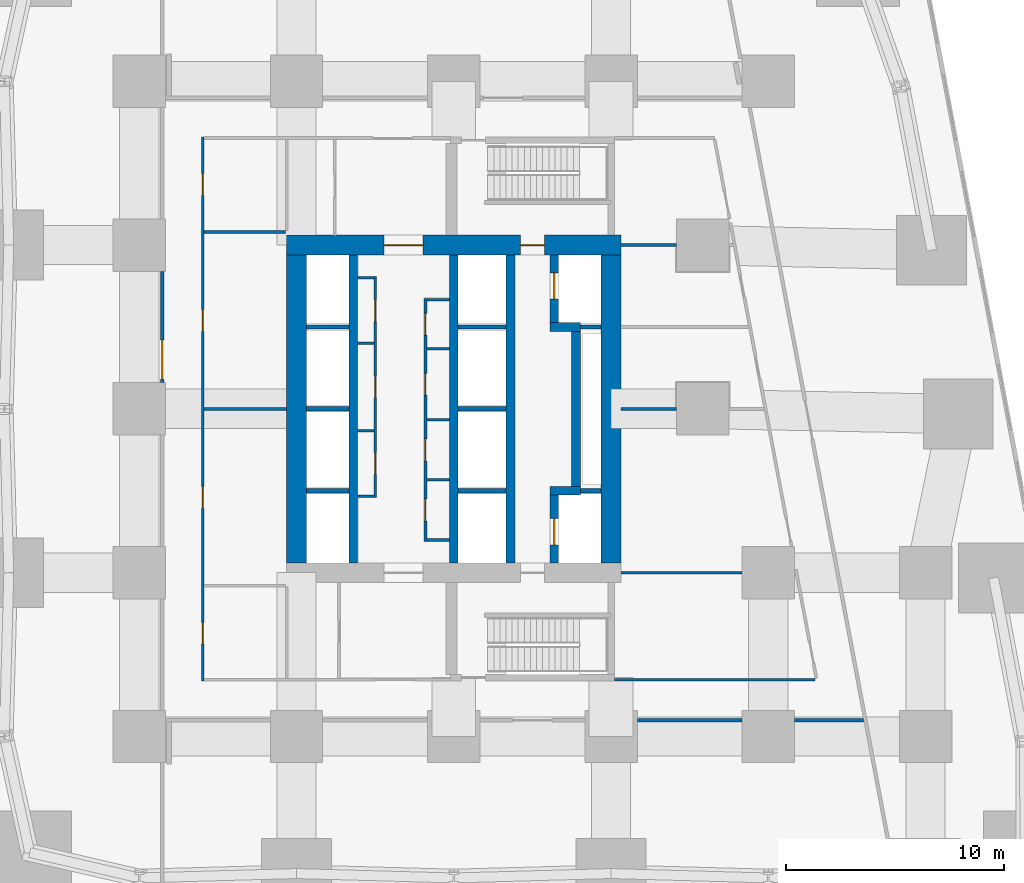
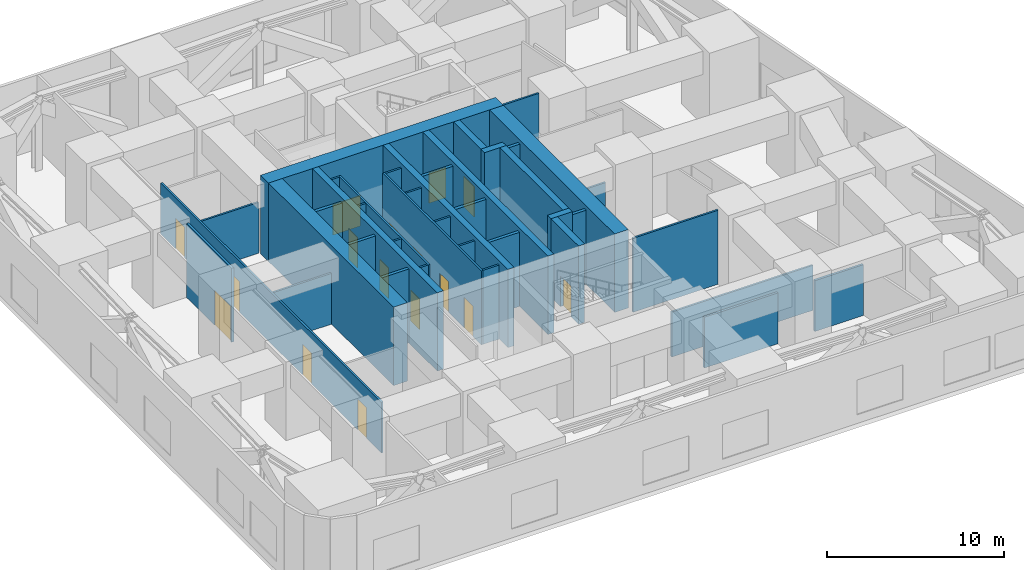
# One storey, part 4 of 8: 40 walls, 16 doors, 16 openings.
"""IFC4 building model written with IfcOpenShell, lengths in metres."""

from ifc_helpers import new_model, si_unit, direction, frame, frame_2d, origin, place, context, subcontext, project, spatial, rectangle, extrude, material, layer, layer_set, type_object, element, fill, save


model = new_model("IFC4")

# Units and contexts
model_context = context("Model", 3, precision=1e-05, world=origin(), true_north=direction((0.0, 1.0)))
body_context = subcontext(model_context, "Body", "Model", "MODEL_VIEW")
ifc_project = project(units=[si_unit("LENGTHUNIT", "METRE"), si_unit("AREAUNIT", "SQUARE_METRE"), si_unit("VOLUMEUNIT", "CUBIC_METRE"), si_unit("PLANEANGLEUNIT", "RADIAN"), si_unit("MASSUNIT", "GRAM", prefix="KILO")], contexts=[model_context])

# Site, building, storey
site_placement = place(None, origin())
site = spatial("IfcSite", under=ifc_project, at=site_placement, CompositionType="ELEMENT")
building_placement = place(site_placement, origin())
building = spatial("IfcBuilding", under=site, at=building_placement, Name="Sheger Commons Tower", CompositionType="ELEMENT")
storey_placement = place(building_placement, frame((0.0, 0.0, 14.60009765625)))
storey = spatial("IfcBuildingStorey", under=building, at=storey_placement, Name="L03", CompositionType="ELEMENT", Elevation=14.60009765625)

# Walls
ifc_material_1 = material(Name="Concrete C50/60", Category="concrete")
ifc_layer_1 = layer(ifc_material_1, 0.39990234375)
ifc_layer_set_1 = layer_set([ifc_layer_1], Name="CORE INNER WALL 400")
wall_type_1 = type_object("IfcWallType", Name="CORE INNER WALL 400", PredefinedType="SHEAR", material=ifc_layer_set_1)
for number, where, z_axis, x_axis, name in (
    (1, (17.0, 15.449951171875, 0.0), (0.0, 0.0, 1.0), (0.0, 1.0, 0.0), "Core inner wall A L03"),
    (2, (21.60009765625, 15.449951171875, 0.0), (0.0, 0.0, 1.0), (0.0, 1.0, 0.0), "Core inner wall L L03"),
    (3, (24.199951171875, 15.449951171875, 0.0), (0.0, 0.0, 1.0), (0.0, 1.0, 0.0), "Core inner wall B L03"),
):
    element("IfcWall", number, at=place(storey_placement, frame(where, z_axis=z_axis, x_axis=x_axis)), inside=storey, type_object=wall_type_1, Name=name, PredefinedType="SHEAR", context=body_context, shape_type="SweptSolid", body=[
        extrude(rectangle(XDim=14.10009765625, YDim=0.39990234375, at=frame_2d((7.050048828125, 0.0))), origin(), (0.0, 0.0, 1.0), 5.39990234375),
    ])

# Wall, opening, door
wall_1_placement = place(storey_placement, frame((26.199951171875, 15.449951171875, 0.0), z_axis=(0.0, 0.0, 1.0), x_axis=(0.0, 1.0, 0.0)))
wall_1 = element("IfcWall", 4, at=wall_1_placement, inside=storey, type_object=wall_type_1, Name="Core inner wall F L03", PredefinedType="SHEAR", context=body_context, shape_type="SweptSolid", body=[
    extrude(rectangle(XDim=3.10009765625, YDim=0.39990234375, at=frame_2d((1.550048828125, 0.0))), origin(), (0.0, 0.0, 1.0), 5.39990234375),
])
opening_1_placement = place(wall_1_placement, frame((0.824951171875, 0.0, 0.0)))
opening_1 = element("IfcOpeningElement", 5, at=opening_1_placement, cuts=wall_1, Name="Opening LD2", PredefinedType="OPENING", context=body_context, shape_type="SweptSolid", body=[
    extrude(rectangle(XDim=1.199951171875, YDim=2.10009765625, at=frame_2d((0.60009765625, 1.050048828125))), frame((0.0, 0.2099609375, 0.0), z_axis=(0.0, -1.0, 0.0), x_axis=(1.0, 0.0, 0.0)), (0.0, 0.0, 1.0), 0.419921875),
])
ifc_material_2 = material(Name="Steel door set, fire rated", Category="steel")
door_type_1 = type_object("IfcDoorType", Name="FIREFIGHTING LIFT LANDING DOOR 1200x2100", OperationType="DOUBLE_DOOR_SLIDING", PredefinedType="DOOR", material=ifc_material_2)
door_1_placement = place(opening_1_placement, origin())
door_1 = element("IfcDoor", 6, at=door_1_placement, inside=storey, type_object=door_type_1, Name="Lift FL1 landing door", OperationType="DOUBLE_DOOR_SLIDING", OverallHeight=2.10009765625, OverallWidth=1.199951171875, PredefinedType="DOOR", context=body_context, shape_type="SweptSolid", body=[
    extrude(rectangle(XDim=1.199951171875, YDim=2.10009765625, at=frame_2d((0.60009765625, 1.050048828125))), frame((0.0, 0.02490234375, 0.0), z_axis=(0.0, -1.0, 0.0), x_axis=(1.0, 0.0, 0.0)), (0.0, 0.0, 1.0), 0.050048828125),
])
fill(opening_1, door_1)

# Walls
wall_2_placement = place(storey_placement, frame((26.0, 18.75, 0.0), z_axis=(0.0, 0.0, 1.0), x_axis=(1.0, 0.0, 0.0)))
element("IfcWall", 7, at=wall_2_placement, inside=storey, type_object=wall_type_1, Name="Core inner wall F south return L03", PredefinedType="SHEAR", context=body_context, shape_type="SweptSolid", body=[
    extrude(rectangle(XDim=1.39990234375, YDim=0.39990234375, at=frame_2d((0.699951171875, 0.0))), origin(), (0.0, 0.0, 1.0), 5.39990234375),
])
wall_3_placement = place(storey_placement, frame((27.199951171875, 18.949951171875, 0.0), z_axis=(0.0, 0.0, 1.0), x_axis=(0.0, 1.0, 0.0)))
element("IfcWall", 8, at=wall_3_placement, inside=storey, type_object=wall_type_1, Name="Core inner wall F middle L03", PredefinedType="SHEAR", context=body_context, shape_type="SweptSolid", body=[
    extrude(rectangle(XDim=7.10009765625, YDim=0.39990234375, at=frame_2d((3.550048828125, 0.0))), origin(), (0.0, 0.0, 1.0), 5.39990234375),
])
wall_4_placement = place(storey_placement, frame((26.0, 26.25, 0.0), z_axis=(0.0, 0.0, 1.0), x_axis=(1.0, 0.0, 0.0)))
element("IfcWall", 9, at=wall_4_placement, inside=storey, type_object=wall_type_1, Name="Core inner wall F north return L03", PredefinedType="SHEAR", context=body_context, shape_type="SweptSolid", body=[
    extrude(rectangle(XDim=1.39990234375, YDim=0.39990234375, at=frame_2d((0.699951171875, 0.0))), origin(), (0.0, 0.0, 1.0), 5.39990234375),
])

# Wall, opening, door
wall_5_placement = place(storey_placement, frame((26.199951171875, 26.449951171875, 0.0), z_axis=(0.0, 0.0, 1.0), x_axis=(0.0, 1.0, 0.0)))
wall_5 = element("IfcWall", 10, at=wall_5_placement, inside=storey, type_object=wall_type_1, Name="Core inner wall F north L03", PredefinedType="SHEAR", context=body_context, shape_type="SweptSolid", body=[
    extrude(rectangle(XDim=3.10009765625, YDim=0.39990234375, at=frame_2d((1.550048828125, 0.0))), origin(), (0.0, 0.0, 1.0), 5.39990234375),
])
opening_2_placement = place(wall_5_placement, frame((1.074951171875, 0.0, 0.0)))
opening_2 = element("IfcOpeningElement", 11, at=opening_2_placement, cuts=wall_5, Name="Opening LD2", PredefinedType="OPENING", context=body_context, shape_type="SweptSolid", body=[
    extrude(rectangle(XDim=1.199951171875, YDim=2.10009765625, at=frame_2d((0.60009765625, 1.050048828125))), frame((0.0, 0.2099609375, 0.0), z_axis=(0.0, -1.0, 0.0), x_axis=(1.0, 0.0, 0.0)), (0.0, 0.0, 1.0), 0.419921875),
])
door_2_placement = place(opening_2_placement, origin())
door_2 = element("IfcDoor", 12, at=door_2_placement, inside=storey, type_object=door_type_1, Name="Lift FL2 landing door", OperationType="DOUBLE_DOOR_SLIDING", OverallHeight=2.10009765625, OverallWidth=1.199951171875, PredefinedType="DOOR", context=body_context, shape_type="SweptSolid", body=[
    extrude(rectangle(XDim=1.199951171875, YDim=2.10009765625, at=frame_2d((0.60009765625, 1.050048828125))), frame((0.0, 0.02490234375, 0.0), z_axis=(0.0, -1.0, 0.0), x_axis=(1.0, 0.0, 0.0)), (0.0, 0.0, 1.0), 0.050048828125),
])
fill(opening_2, door_2)

# Wall, openings, doors
ifc_material_3 = material(Name="Concrete C50/60", Category="concrete")
ifc_layer_2 = layer(ifc_material_3, 0.89990234375)
ifc_layer_set_2 = layer_set([ifc_layer_2], Name="CORE WALL 900")
wall_type_2 = type_object("IfcWallType", Name="CORE WALL 900", PredefinedType="SHEAR", material=ifc_layer_set_2)
wall_6_placement = place(storey_placement, frame((13.949951171875, 30.0, 0.0), z_axis=(0.0, 0.0, 1.0), x_axis=(1.0, 0.0, 0.0)))
wall_6 = element("IfcWall", 13, at=wall_6_placement, inside=storey, type_object=wall_type_2, Name="Core wall north L03", PredefinedType="SHEAR", context=body_context, shape_type="SweptSolid", body=[
    extrude(rectangle(XDim=15.300048828125, YDim=0.89990234375, at=frame_2d((7.64990234375, 0.0))), origin(), (0.0, 0.0, 1.0), 5.39990234375),
])
opening_3_placement = place(wall_6_placement, frame((4.449951171875, 0.0, 0.0)))
opening_3 = element("IfcOpeningElement", 14, at=opening_3_placement, cuts=wall_6, Name="Opening D6", PredefinedType="OPENING", context=body_context, shape_type="SweptSolid", body=[
    extrude(rectangle(XDim=1.800048828125, YDim=2.10009765625, at=frame_2d((0.89990234375, 1.050048828125))), frame((0.0, 0.4599609375, 0.0), z_axis=(0.0, -1.0, 0.0), x_axis=(1.0, 0.0, 0.0)), (0.0, 0.0, 1.0), 0.919921875),
])
opening_4_placement = place(wall_6_placement, frame((10.699951171875, 0.0, 0.0)))
opening_4 = element("IfcOpeningElement", 15, at=opening_4_placement, cuts=wall_6, Name="Opening D5", PredefinedType="OPENING", context=body_context, shape_type="SweptSolid", body=[
    extrude(rectangle(XDim=1.10009765625, YDim=2.10009765625, at=frame_2d((0.550048828125, 1.050048828125))), frame((0.0, 0.4599609375, 0.0), z_axis=(0.0, -1.0, 0.0), x_axis=(1.0, 0.0, 0.0)), (0.0, 0.0, 1.0), 0.919921875),
])
ifc_material_4 = material(Name="Steel door set, fire rated", Category="steel")
door_type_2 = type_object("IfcDoorType", Name="LOBBY DOUBLE DOOR 1800x2100", OperationType="DOUBLE_DOOR_SINGLE_SWING", PredefinedType="DOOR", material=ifc_material_4)
door_3_placement = place(opening_3_placement, origin())
door_3 = element("IfcDoor", 16, at=door_3_placement, inside=storey, type_object=door_type_2, Name="Lift lobby door", OperationType="DOUBLE_DOOR_SINGLE_SWING", OverallHeight=2.10009765625, OverallWidth=1.800048828125, PredefinedType="DOOR", context=body_context, shape_type="SweptSolid", body=[
    extrude(rectangle(XDim=1.800048828125, YDim=2.10009765625, at=frame_2d((0.89990234375, 1.050048828125))), frame((0.0, 0.02490234375, 0.0), z_axis=(0.0, -1.0, 0.0), x_axis=(1.0, 0.0, 0.0)), (0.0, 0.0, 1.0), 0.050048828125),
])
fill(opening_3, door_3)
ifc_material_5 = material(Name="Steel door set, fire rated", Category="steel")
door_type_3 = type_object("IfcDoorType", Name="STAIR DOOR 1100x2100", OperationType="NOTDEFINED", PredefinedType="DOOR", material=ifc_material_5)
door_4_placement = place(opening_4_placement, origin())
door_4 = element("IfcDoor", 17, at=door_4_placement, inside=storey, type_object=door_type_3, Name="Fire-fighting lobby door", OperationType="SINGLE_SWING_RIGHT", OverallHeight=2.10009765625, OverallWidth=1.10009765625, PredefinedType="DOOR", context=body_context, shape_type="SweptSolid", body=[
    extrude(rectangle(XDim=1.10009765625, YDim=2.10009765625, at=frame_2d((0.550048828125, 1.050048828125))), frame((0.0, 0.02490234375, 0.0), z_axis=(0.0, -1.0, 0.0), x_axis=(1.0, 0.0, 0.0)), (0.0, 0.0, 1.0), 0.050048828125),
])
fill(opening_4, door_4)

# Walls
for number, where, z_axis, x_axis, name in (
    (18, (14.39990234375, 15.449951171875, 0.0), (0.0, 0.0, 1.0), (0.0, 1.0, 0.0), "Core wall west L03"),
    (19, (28.800048828125, 15.449951171875, 0.0), (0.0, 0.0, 1.0), (0.0, 1.0, 0.0), "Core wall east L03"),
):
    element("IfcWall", number, at=place(storey_placement, frame(where, z_axis=z_axis, x_axis=x_axis)), inside=storey, type_object=wall_type_2, Name=name, PredefinedType="SHEAR", context=body_context, shape_type="SweptSolid", body=[
        extrude(rectangle(XDim=14.10009765625, YDim=0.89990234375, at=frame_2d((7.050048828125, 0.0))), origin(), (0.0, 0.0, 1.0), 5.39990234375),
    ])

# Wall, opening, door
ifc_material_6 = material(Name="Hollow concrete block masonry, skimmed both sides", Category="masonry")
ifc_layer_3 = layer(ifc_material_6, 0.14990234375)
ifc_layer_set_3 = layer_set([ifc_layer_3], Name="CORRIDOR WALL 150")
wall_type_3 = type_object("IfcWallType", Name="CORRIDOR WALL 150", PredefinedType="SOLIDWALL", material=ifc_layer_set_3)
wall_7_placement = place(storey_placement, frame((8.25, 23.700927734375, 0.0), z_axis=(0.0, 0.0, 1.0), x_axis=(0.0, 1.0, 0.0)))
wall_7 = element("IfcWall", 20, at=wall_7_placement, inside=storey, type_object=wall_type_3, Name="Corridor wall L03", PredefinedType="SOLIDWALL", context=body_context, shape_type="SweptSolid", body=[
    extrude(rectangle(XDim=5.09814453125, YDim=0.14990234375, at=frame_2d((2.549072265625, 0.0))), origin(), (0.0, 0.0, 1.0), 5.099853515625),
])
opening_5_placement = place(wall_7_placement, frame((0.14990234375, 0.0, 0.0)))
opening_5 = element("IfcOpeningElement", 21, at=opening_5_placement, cuts=wall_7, Name="Opening D7", PredefinedType="OPENING", context=body_context, shape_type="SweptSolid", body=[
    extrude(rectangle(XDim=1.800048828125, YDim=2.39990234375, at=frame_2d((0.89990234375, 1.199951171875))), frame((0.0, 0.0849609375, 0.0), z_axis=(0.0, -1.0, 0.0), x_axis=(1.0, 0.0, 0.0)), (0.0, 0.0, 1.0), 0.169921875),
])
ifc_material_7 = material(Name="Steel door set, fire rated", Category="steel")
door_type_4 = type_object("IfcDoorType", Name="PLANT DOUBLE DOOR 1800x2400", OperationType="DOUBLE_DOOR_SINGLE_SWING", PredefinedType="DOOR", material=ifc_material_7)
door_5_placement = place(opening_5_placement, origin())
door_5 = element("IfcDoor", 22, at=door_5_placement, inside=storey, type_object=door_type_4, Name="Water tank room door", OperationType="DOUBLE_DOOR_SINGLE_SWING", OverallHeight=2.39990234375, OverallWidth=1.800048828125, PredefinedType="DOOR", context=body_context, shape_type="SweptSolid", body=[
    extrude(rectangle(XDim=1.800048828125, YDim=2.39990234375, at=frame_2d((0.89990234375, 1.199951171875))), frame((0.0, 0.02490234375, 0.0), z_axis=(0.0, -1.0, 0.0), x_axis=(1.0, 0.0, 0.0)), (0.0, 0.0, 1.0), 0.050048828125),
])
fill(opening_5, door_5)

# Walls
wall_8_placement = place(storey_placement, frame((40.35498046875, 8.25, 0.0), z_axis=(0.0, 0.0, 1.0), x_axis=(-1.0, 0.0, 0.0)))
element("IfcWall", 23, at=wall_8_placement, inside=storey, type_object=wall_type_3, Name="Corridor wall L03", PredefinedType="SOLIDWALL", context=body_context, shape_type="SweptSolid", body=[
    extrude(rectangle(XDim=3.154052734375, YDim=0.14990234375, at=frame_2d((1.5771484375, 0.0))), origin(), (0.0, 0.0, 1.0), 3.5),
])
wall_9_placement = place(storey_placement, frame((34.799072265625, 8.25, 0.0), z_axis=(0.0, 0.0, 1.0), x_axis=(-1.0, 0.0, 0.0)))
element("IfcWall", 24, at=wall_9_placement, inside=storey, type_object=wall_type_3, Name="Corridor wall L03", PredefinedType="SOLIDWALL", context=body_context, shape_type="SweptSolid", body=[
    extrude(rectangle(XDim=4.798095703125, YDim=0.14990234375, at=frame_2d((2.39892578125, 0.0))), origin(), (0.0, 0.0, 1.0), 3.5),
])

# Wall, openings, doors
ifc_material_8 = material(Name="Gypsum board on steel studs, two layers each side, fire rated", Category="steel")
ifc_layer_4 = layer(ifc_material_8, 0.125)
ifc_layer_set_4 = layer_set([ifc_layer_4], Name="SERVICE WALL 125")
wall_type_4 = type_object("IfcWallType", Name="SERVICE WALL 125", PredefinedType="PARTITIONING", material=ifc_layer_set_4)
wall_10_placement = place(storey_placement, frame((10.10009765625, 10.050048828125, 0.0), z_axis=(0.0, 0.0, 1.0), x_axis=(0.0, 1.0, 0.0)))
wall_10 = element("IfcWall", 25, at=wall_10_placement, inside=storey, type_object=wall_type_4, Name="Service room wall L03", PredefinedType="PARTITIONING", context=body_context, shape_type="SweptSolid", body=[
    extrude(rectangle(XDim=24.89990234375, YDim=0.125, at=frame_2d((12.449951171875, 0.0))), origin(), (0.0, 0.0, 1.0), 3.5),
])
opening_6_placement = place(wall_10_placement, frame((1.675048828125, 0.0, 0.0)))
opening_6 = element("IfcOpeningElement", 26, at=opening_6_placement, cuts=wall_10, Name="Opening D4", PredefinedType="OPENING", context=body_context, shape_type="SweptSolid", body=[
    extrude(rectangle(XDim=1.0, YDim=2.10009765625, at=frame_2d((0.5, 1.050048828125))), frame((0.0, 0.072509765625, 0.0), z_axis=(0.0, -1.0, 0.0), x_axis=(1.0, 0.0, 0.0)), (0.0, 0.0, 1.0), 0.14501953125),
])
opening_7_placement = place(wall_10_placement, frame((7.89990234375, 0.0, 0.0)))
opening_7 = element("IfcOpeningElement", 27, at=opening_7_placement, cuts=wall_10, Name="Opening D4", PredefinedType="OPENING", context=body_context, shape_type="SweptSolid", body=[
    extrude(rectangle(XDim=1.0, YDim=2.10009765625, at=frame_2d((0.5, 1.050048828125))), frame((0.0, 0.072509765625, 0.0), z_axis=(0.0, -1.0, 0.0), x_axis=(1.0, 0.0, 0.0)), (0.0, 0.0, 1.0), 0.14501953125),
])
opening_8_placement = place(wall_10_placement, frame((16.0, 0.0, 0.0)))
opening_8 = element("IfcOpeningElement", 28, at=opening_8_placement, cuts=wall_10, Name="Opening D4", PredefinedType="OPENING", context=body_context, shape_type="SweptSolid", body=[
    extrude(rectangle(XDim=1.0, YDim=2.10009765625, at=frame_2d((0.5, 1.050048828125))), frame((0.0, 0.072509765625, 0.0), z_axis=(0.0, -1.0, 0.0), x_axis=(1.0, 0.0, 0.0)), (0.0, 0.0, 1.0), 0.14501953125),
])
opening_9_placement = place(wall_10_placement, frame((22.22509765625, 0.0, 0.0)))
opening_9 = element("IfcOpeningElement", 29, at=opening_9_placement, cuts=wall_10, Name="Opening D4", PredefinedType="OPENING", context=body_context, shape_type="SweptSolid", body=[
    extrude(rectangle(XDim=1.0, YDim=2.10009765625, at=frame_2d((0.5, 1.050048828125))), frame((0.0, 0.072509765625, 0.0), z_axis=(0.0, -1.0, 0.0), x_axis=(1.0, 0.0, 0.0)), (0.0, 0.0, 1.0), 0.14501953125),
])
ifc_material_9 = material(Name="Steel door set, fire rated", Category="steel")
door_type_5 = type_object("IfcDoorType", Name="SERVICE DOOR 1000x2100", OperationType="NOTDEFINED", PredefinedType="DOOR", material=ifc_material_9)
door_6_placement = place(opening_6_placement, origin())
door_6 = element("IfcDoor", 30, at=door_6_placement, inside=storey, type_object=door_type_5, Name="Plant room door", OperationType="SINGLE_SWING_RIGHT", OverallHeight=2.10009765625, OverallWidth=1.0, PredefinedType="DOOR", context=body_context, shape_type="SweptSolid", body=[
    extrude(rectangle(XDim=1.0, YDim=2.10009765625, at=frame_2d((0.5, 1.050048828125))), frame((0.0, 0.02490234375, 0.0), z_axis=(0.0, -1.0, 0.0), x_axis=(1.0, 0.0, 0.0)), (0.0, 0.0, 1.0), 0.050048828125),
])
fill(opening_6, door_6)
door_7_placement = place(opening_7_placement, origin())
door_7 = element("IfcDoor", 31, at=door_7_placement, inside=storey, type_object=door_type_5, Name="Plant room door", OperationType="SINGLE_SWING_LEFT", OverallHeight=2.10009765625, OverallWidth=1.0, PredefinedType="DOOR", context=body_context, shape_type="SweptSolid", body=[
    extrude(rectangle(XDim=1.0, YDim=2.10009765625, at=frame_2d((0.5, 1.050048828125))), frame((0.0, 0.02490234375, 0.0), z_axis=(0.0, -1.0, 0.0), x_axis=(1.0, 0.0, 0.0)), (0.0, 0.0, 1.0), 0.050048828125),
])
fill(opening_7, door_7)
door_8_placement = place(opening_8_placement, origin())
door_8 = element("IfcDoor", 32, at=door_8_placement, inside=storey, type_object=door_type_5, Name="Electrical switch room door", OperationType="SINGLE_SWING_LEFT", OverallHeight=2.10009765625, OverallWidth=1.0, PredefinedType="DOOR", context=body_context, shape_type="SweptSolid", body=[
    extrude(rectangle(XDim=1.0, YDim=2.10009765625, at=frame_2d((0.5, 1.050048828125))), frame((0.0, 0.02490234375, 0.0), z_axis=(0.0, -1.0, 0.0), x_axis=(1.0, 0.0, 0.0)), (0.0, 0.0, 1.0), 0.050048828125),
])
fill(opening_8, door_8)
door_9_placement = place(opening_9_placement, origin())
door_9 = element("IfcDoor", 33, at=door_9_placement, inside=storey, type_object=door_type_5, Name="Cleaner's store door", OperationType="SINGLE_SWING_LEFT", OverallHeight=2.10009765625, OverallWidth=1.0, PredefinedType="DOOR", context=body_context, shape_type="SweptSolid", body=[
    extrude(rectangle(XDim=1.0, YDim=2.10009765625, at=frame_2d((0.5, 1.050048828125))), frame((0.0, 0.02490234375, 0.0), z_axis=(0.0, -1.0, 0.0), x_axis=(1.0, 0.0, 0.0)), (0.0, 0.0, 1.0), 0.050048828125),
])
fill(opening_9, door_9)

# Walls
wall_11_placement = place(storey_placement, frame((10.1630859375, 22.5, 0.0), z_axis=(0.0, 0.0, 1.0), x_axis=(1.0, 0.0, 0.0)))
element("IfcWall", 34, at=wall_11_placement, inside=storey, type_object=wall_type_4, Name="Service room wall L03", PredefinedType="PARTITIONING", context=body_context, shape_type="SweptSolid", body=[
    extrude(rectangle(XDim=3.786865234375, YDim=0.125, at=frame_2d((1.8935546875, 0.0))), origin(), (0.0, 0.0, 1.0), 3.5),
])
wall_12_placement = place(storey_placement, frame((10.1630859375, 30.60009765625, 0.0), z_axis=(0.0, 0.0, 1.0), x_axis=(1.0, 0.0, 0.0)))
element("IfcWall", 35, at=wall_12_placement, inside=storey, type_object=wall_type_4, Name="Service room wall L03", PredefinedType="PARTITIONING", context=body_context, shape_type="SweptSolid", body=[
    extrude(rectangle(XDim=3.724853515625, YDim=0.125, at=frame_2d((1.8623046875, 0.0))), origin(), (0.0, 0.0, 1.0), 3.5),
])
wall_13_placement = place(storey_placement, frame((28.949951171875, 10.10009765625, 0.0), z_axis=(0.0, 0.0, 1.0), x_axis=(1.0, 0.0, 0.0)))
element("IfcWall", 36, at=wall_13_placement, inside=storey, type_object=wall_type_4, Name="Service room wall L03", PredefinedType="PARTITIONING", context=body_context, shape_type="SweptSolid", body=[
    extrude(rectangle(XDim=9.18798828125, YDim=0.125, at=frame_2d((4.593994140625, 0.0))), origin(), (0.0, 0.0, 1.0), 3.099853515625),
])
wall_14_placement = place(storey_placement, frame((29.25, 15.0, 0.0), z_axis=(0.0, 0.0, 1.0), x_axis=(1.0, 0.0, 0.0)))
element("IfcWall", 37, at=wall_14_placement, inside=storey, type_object=wall_type_4, Name="Service room wall L03", PredefinedType="PARTITIONING", context=body_context, shape_type="SweptSolid", body=[
    extrude(rectangle(XDim=5.549072265625, YDim=0.125, at=frame_2d((2.7744140625, 0.0))), origin(), (0.0, 0.0, 1.0), 5.099853515625),
])
wall_15_placement = place(storey_placement, frame((29.25, 22.5, 0.0), z_axis=(0.0, 0.0, 1.0), x_axis=(1.0, 0.0, 0.0)))
element("IfcWall", 38, at=wall_15_placement, inside=storey, type_object=wall_type_4, Name="Service room wall L03", PredefinedType="PARTITIONING", context=body_context, shape_type="SweptSolid", body=[
    extrude(rectangle(XDim=2.549072265625, YDim=0.125, at=frame_2d((1.2744140625, 0.0))), origin(), (0.0, 0.0, 1.0), 3.5),
])
wall_16_placement = place(storey_placement, frame((29.25, 30.0, 0.0), z_axis=(0.0, 0.0, 1.0), x_axis=(1.0, 0.0, 0.0)))
element("IfcWall", 39, at=wall_16_placement, inside=storey, type_object=wall_type_4, Name="Service room wall L03", PredefinedType="PARTITIONING", context=body_context, shape_type="SweptSolid", body=[
    extrude(rectangle(XDim=2.549072265625, YDim=0.125, at=frame_2d((1.2744140625, 0.0))), origin(), (0.0, 0.0, 1.0), 5.099853515625),
])

# Wall, openings, doors
wall_17_placement = place(storey_placement, frame((20.300048828125, 16.43798828125, 0.0), z_axis=(0.0, 0.0, 1.0), x_axis=(0.0, 1.0, 0.0)))
wall_17 = element("IfcWall", 40, at=wall_17_placement, inside=storey, type_object=wall_type_4, Name="Service room wall L03", PredefinedType="PARTITIONING", context=body_context, shape_type="SweptSolid", body=[
    extrude(rectangle(XDim=11.1240234375, YDim=0.125, at=frame_2d((5.56201171875, 0.0))), origin(), (0.0, 0.0, 1.0), 5.099853515625),
])
opening_10_placement = place(wall_17_placement, frame((0.93701171875, 0.0, 0.0)))
opening_10 = element("IfcOpeningElement", 41, at=opening_10_placement, cuts=wall_17, Name="Opening D4", PredefinedType="OPENING", context=body_context, shape_type="SweptSolid", body=[
    extrude(rectangle(XDim=1.0, YDim=2.10009765625, at=frame_2d((0.5, 1.050048828125))), frame((0.0, 0.072509765625, 0.0), z_axis=(0.0, -1.0, 0.0), x_axis=(1.0, 0.0, 0.0)), (0.0, 0.0, 1.0), 0.14501953125),
])
opening_11_placement = place(wall_17_placement, frame((3.68701171875, 0.0, 0.0)))
opening_11 = element("IfcOpeningElement", 42, at=opening_11_placement, cuts=wall_17, Name="Opening D4", PredefinedType="OPENING", context=body_context, shape_type="SweptSolid", body=[
    extrude(rectangle(XDim=1.0, YDim=2.10009765625, at=frame_2d((0.5, 1.050048828125))), frame((0.0, 0.072509765625, 0.0), z_axis=(0.0, -1.0, 0.0), x_axis=(1.0, 0.0, 0.0)), (0.0, 0.0, 1.0), 0.14501953125),
])
opening_12_placement = place(wall_17_placement, frame((6.68701171875, 0.0, 0.0)))
opening_12 = element("IfcOpeningElement", 43, at=opening_12_placement, cuts=wall_17, Name="Opening D4", PredefinedType="OPENING", context=body_context, shape_type="SweptSolid", body=[
    extrude(rectangle(XDim=1.0, YDim=2.10009765625, at=frame_2d((0.5, 1.050048828125))), frame((0.0, 0.072509765625, 0.0), z_axis=(0.0, -1.0, 0.0), x_axis=(1.0, 0.0, 0.0)), (0.0, 0.0, 1.0), 0.14501953125),
])
opening_13_placement = place(wall_17_placement, frame((9.43701171875, 0.0, 0.0)))
opening_13 = element("IfcOpeningElement", 44, at=opening_13_placement, cuts=wall_17, Name="Opening D4", PredefinedType="OPENING", context=body_context, shape_type="SweptSolid", body=[
    extrude(rectangle(XDim=1.0, YDim=2.10009765625, at=frame_2d((0.5, 1.050048828125))), frame((0.0, 0.072509765625, 0.0), z_axis=(0.0, -1.0, 0.0), x_axis=(1.0, 0.0, 0.0)), (0.0, 0.0, 1.0), 0.14501953125),
])
door_10_placement = place(opening_10_placement, origin())
door_10 = element("IfcDoor", 45, at=door_10_placement, inside=storey, type_object=door_type_5, Name="Communications cupboard door", OperationType="SINGLE_SWING_RIGHT", OverallHeight=2.10009765625, OverallWidth=1.0, PredefinedType="DOOR", context=body_context, shape_type="SweptSolid", body=[
    extrude(rectangle(XDim=1.0, YDim=2.10009765625, at=frame_2d((0.5, 1.050048828125))), frame((0.0, 0.02490234375, 0.0), z_axis=(0.0, -1.0, 0.0), x_axis=(1.0, 0.0, 0.0)), (0.0, 0.0, 1.0), 0.050048828125),
])
fill(opening_10, door_10)
door_11_placement = place(opening_11_placement, origin())
door_11 = element("IfcDoor", 46, at=door_11_placement, inside=storey, type_object=door_type_5, Name="Electrical cupboard door", OperationType="SINGLE_SWING_LEFT", OverallHeight=2.10009765625, OverallWidth=1.0, PredefinedType="DOOR", context=body_context, shape_type="SweptSolid", body=[
    extrude(rectangle(XDim=1.0, YDim=2.10009765625, at=frame_2d((0.5, 1.050048828125))), frame((0.0, 0.02490234375, 0.0), z_axis=(0.0, -1.0, 0.0), x_axis=(1.0, 0.0, 0.0)), (0.0, 0.0, 1.0), 0.050048828125),
])
fill(opening_11, door_11)
door_12_placement = place(opening_12_placement, origin())
door_12 = element("IfcDoor", 47, at=door_12_placement, inside=storey, type_object=door_type_5, Name="Cleaner's cupboard door", OperationType="SINGLE_SWING_LEFT", OverallHeight=2.10009765625, OverallWidth=1.0, PredefinedType="DOOR", context=body_context, shape_type="SweptSolid", body=[
    extrude(rectangle(XDim=1.0, YDim=2.10009765625, at=frame_2d((0.5, 1.050048828125))), frame((0.0, 0.02490234375, 0.0), z_axis=(0.0, -1.0, 0.0), x_axis=(1.0, 0.0, 0.0)), (0.0, 0.0, 1.0), 0.050048828125),
])
fill(opening_12, door_12)
door_13_placement = place(opening_13_placement, origin())
door_13 = element("IfcDoor", 48, at=door_13_placement, inside=storey, type_object=door_type_5, Name="Communications cupboard door", OperationType="SINGLE_SWING_LEFT", OverallHeight=2.10009765625, OverallWidth=1.0, PredefinedType="DOOR", context=body_context, shape_type="SweptSolid", body=[
    extrude(rectangle(XDim=1.0, YDim=2.10009765625, at=frame_2d((0.5, 1.050048828125))), frame((0.0, 0.02490234375, 0.0), z_axis=(0.0, -1.0, 0.0), x_axis=(1.0, 0.0, 0.0)), (0.0, 0.0, 1.0), 0.050048828125),
])
fill(opening_13, door_13)

# Walls
for number, where, z_axis, x_axis, name in (
    (49, (20.363037109375, 16.5, 0.0), (0.0, 0.0, 1.0), (1.0, 0.0, 0.0), "Service room wall L03"),
    (50, (20.363037109375, 27.5, 0.0), (0.0, 0.0, 1.0), (1.0, 0.0, 0.0), "Service room wall L03"),
    (51, (20.363037109375, 19.25, 0.0), (0.0, 0.0, 1.0), (1.0, 0.0, 0.0), "Service room wall L03"),
    (52, (20.363037109375, 22.0, 0.0), (0.0, 0.0, 1.0), (1.0, 0.0, 0.0), "Service room wall L03"),
    (53, (20.363037109375, 25.25, 0.0), (0.0, 0.0, 1.0), (1.0, 0.0, 0.0), "Service room wall L03"),
):
    element("IfcWall", number, at=place(storey_placement, frame(where, z_axis=z_axis, x_axis=x_axis)), inside=storey, type_object=wall_type_4, Name=name, PredefinedType="PARTITIONING", context=body_context, shape_type="SweptSolid", body=[
        extrude(rectangle(XDim=1.036865234375, YDim=0.125, at=frame_2d((0.5185546875, 0.0))), origin(), (0.0, 0.0, 1.0), 5.099853515625),
    ])

# Wall, openings, doors
wall_18_placement = place(storey_placement, frame((18.0, 28.56201171875, 0.0), z_axis=(0.0, 0.0, 1.0), x_axis=(0.0, -1.0, 0.0)))
wall_18 = element("IfcWall", 54, at=wall_18_placement, inside=storey, type_object=wall_type_4, Name="Service room wall L03", PredefinedType="PARTITIONING", context=body_context, shape_type="SweptSolid", body=[
    extrude(rectangle(XDim=10.1240234375, YDim=0.125, at=frame_2d((5.06201171875, 0.0))), origin(), (0.0, 0.0, 1.0), 5.099853515625),
])
opening_14_placement = place(wall_18_placement, frame((8.06201171875, 0.0, 0.0)))
opening_14 = element("IfcOpeningElement", 55, at=opening_14_placement, cuts=wall_18, Name="Opening D4", PredefinedType="OPENING", context=body_context, shape_type="SweptSolid", body=[
    extrude(rectangle(XDim=1.0, YDim=2.10009765625, at=frame_2d((0.5, 1.050048828125))), frame((0.0, 0.072509765625, 0.0), z_axis=(0.0, -1.0, 0.0), x_axis=(1.0, 0.0, 0.0)), (0.0, 0.0, 1.0), 0.14501953125),
])
opening_15_placement = place(wall_18_placement, frame((4.56201171875, 0.0, 0.0)))
opening_15 = element("IfcOpeningElement", 56, at=opening_15_placement, cuts=wall_18, Name="Opening D4", PredefinedType="OPENING", context=body_context, shape_type="SweptSolid", body=[
    extrude(rectangle(XDim=1.0, YDim=2.10009765625, at=frame_2d((0.5, 1.050048828125))), frame((0.0, 0.072509765625, 0.0), z_axis=(0.0, -1.0, 0.0), x_axis=(1.0, 0.0, 0.0)), (0.0, 0.0, 1.0), 0.14501953125),
])
opening_16_placement = place(wall_18_placement, frame((1.06201171875, 0.0, 0.0)))
opening_16 = element("IfcOpeningElement", 57, at=opening_16_placement, cuts=wall_18, Name="Opening D4", PredefinedType="OPENING", context=body_context, shape_type="SweptSolid", body=[
    extrude(rectangle(XDim=1.0, YDim=2.10009765625, at=frame_2d((0.5, 1.050048828125))), frame((0.0, 0.072509765625, 0.0), z_axis=(0.0, -1.0, 0.0), x_axis=(1.0, 0.0, 0.0)), (0.0, 0.0, 1.0), 0.14501953125),
])
door_14_placement = place(opening_14_placement, origin())
door_14 = element("IfcDoor", 58, at=door_14_placement, inside=storey, type_object=door_type_5, Name="Water meter cupboard door", OperationType="SINGLE_SWING_RIGHT", OverallHeight=2.10009765625, OverallWidth=1.0, PredefinedType="DOOR", context=body_context, shape_type="SweptSolid", body=[
    extrude(rectangle(XDim=1.0, YDim=2.10009765625, at=frame_2d((0.5, 1.050048828125))), frame((0.0, 0.02490234375, 0.0), z_axis=(0.0, -1.0, 0.0), x_axis=(1.0, 0.0, 0.0)), (0.0, 0.0, 1.0), 0.050048828125),
])
fill(opening_14, door_14)
door_15_placement = place(opening_15_placement, origin())
door_15 = element("IfcDoor", 59, at=door_15_placement, inside=storey, type_object=door_type_5, Name="Linen cupboard door", OperationType="SINGLE_SWING_LEFT", OverallHeight=2.10009765625, OverallWidth=1.0, PredefinedType="DOOR", context=body_context, shape_type="SweptSolid", body=[
    extrude(rectangle(XDim=1.0, YDim=2.10009765625, at=frame_2d((0.5, 1.050048828125))), frame((0.0, 0.02490234375, 0.0), z_axis=(0.0, -1.0, 0.0), x_axis=(1.0, 0.0, 0.0)), (0.0, 0.0, 1.0), 0.050048828125),
])
fill(opening_15, door_15)
door_16_placement = place(opening_16_placement, origin())
door_16 = element("IfcDoor", 60, at=door_16_placement, inside=storey, type_object=door_type_5, Name="Housekeeping cupboard door", OperationType="SINGLE_SWING_LEFT", OverallHeight=2.10009765625, OverallWidth=1.0, PredefinedType="DOOR", context=body_context, shape_type="SweptSolid", body=[
    extrude(rectangle(XDim=1.0, YDim=2.10009765625, at=frame_2d((0.5, 1.050048828125))), frame((0.0, 0.02490234375, 0.0), z_axis=(0.0, -1.0, 0.0), x_axis=(1.0, 0.0, 0.0)), (0.0, 0.0, 1.0), 0.050048828125),
])
fill(opening_16, door_16)

# Walls
for number, where, z_axis, x_axis, name in (
    (61, (17.199951171875, 18.5, 0.0), (0.0, 0.0, 1.0), (1.0, 0.0, 0.0), "Service room wall L03"),
    (62, (17.199951171875, 28.5, 0.0), (0.0, 0.0, 1.0), (1.0, 0.0, 0.0), "Service room wall L03"),
    (63, (17.199951171875, 21.5, 0.0), (0.0, 0.0, 1.0), (1.0, 0.0, 0.0), "Service room wall L03"),
    (64, (17.199951171875, 25.5, 0.0), (0.0, 0.0, 1.0), (1.0, 0.0, 0.0), "Service room wall L03"),
):
    element("IfcWall", number, at=place(storey_placement, frame(where, z_axis=z_axis, x_axis=x_axis)), inside=storey, type_object=wall_type_4, Name=name, PredefinedType="PARTITIONING", context=body_context, shape_type="SweptSolid", body=[
        extrude(rectangle(XDim=0.738037109375, YDim=0.125, at=frame_2d((0.369140625, 0.0))), origin(), (0.0, 0.0, 1.0), 5.099853515625),
    ])
ifc_material_10 = material(Name="Hollow concrete block masonry", Category="masonry")
ifc_layer_5 = layer(ifc_material_10, 0.199951171875)
ifc_layer_set_5 = layer_set([ifc_layer_5], Name="SHAFT WALL 200")
wall_type_5 = type_object("IfcWallType", Name="SHAFT WALL 200", PredefinedType="SOLIDWALL", material=ifc_layer_set_5)
wall_19_placement = place(storey_placement, frame((14.85009765625, 18.75, 0.0), z_axis=(0.0, 0.0, 1.0), x_axis=(1.0, 0.0, 0.0)))
element("IfcWall", 65, at=wall_19_placement, inside=storey, type_object=wall_type_5, Name="Lift shaft wall L03", PredefinedType="SOLIDWALL", context=body_context, shape_type="SweptSolid", body=[
    extrude(rectangle(XDim=1.949951171875, YDim=0.199951171875, at=frame_2d((0.97509765625, 0.0))), origin(), (0.0, 0.0, 1.0), 5.099853515625),
])
wall_20_placement = place(storey_placement, frame((21.800048828125, 18.75, 0.0), z_axis=(0.0, 0.0, 1.0), x_axis=(1.0, 0.0, 0.0)))
element("IfcWall", 66, at=wall_20_placement, inside=storey, type_object=wall_type_5, Name="Lift shaft wall L03", PredefinedType="SOLIDWALL", context=body_context, shape_type="SweptSolid", body=[
    extrude(rectangle(XDim=2.199951171875, YDim=0.199951171875, at=frame_2d((1.10009765625, 0.0))), origin(), (0.0, 0.0, 1.0), 5.099853515625),
])
wall_21_placement = place(storey_placement, frame((14.85009765625, 22.5, 0.0), z_axis=(0.0, 0.0, 1.0), x_axis=(1.0, 0.0, 0.0)))
element("IfcWall", 67, at=wall_21_placement, inside=storey, type_object=wall_type_5, Name="Lift shaft wall L03", PredefinedType="SOLIDWALL", context=body_context, shape_type="SweptSolid", body=[
    extrude(rectangle(XDim=1.949951171875, YDim=0.199951171875, at=frame_2d((0.97509765625, 0.0))), origin(), (0.0, 0.0, 1.0), 5.099853515625),
])
wall_22_placement = place(storey_placement, frame((21.800048828125, 22.5, 0.0), z_axis=(0.0, 0.0, 1.0), x_axis=(1.0, 0.0, 0.0)))
element("IfcWall", 68, at=wall_22_placement, inside=storey, type_object=wall_type_5, Name="Lift shaft wall L03", PredefinedType="SOLIDWALL", context=body_context, shape_type="SweptSolid", body=[
    extrude(rectangle(XDim=2.199951171875, YDim=0.199951171875, at=frame_2d((1.10009765625, 0.0))), origin(), (0.0, 0.0, 1.0), 5.099853515625),
])
wall_23_placement = place(storey_placement, frame((14.85009765625, 26.25, 0.0), z_axis=(0.0, 0.0, 1.0), x_axis=(1.0, 0.0, 0.0)))
element("IfcWall", 69, at=wall_23_placement, inside=storey, type_object=wall_type_5, Name="Lift shaft wall L03", PredefinedType="SOLIDWALL", context=body_context, shape_type="SweptSolid", body=[
    extrude(rectangle(XDim=1.949951171875, YDim=0.199951171875, at=frame_2d((0.97509765625, 0.0))), origin(), (0.0, 0.0, 1.0), 5.099853515625),
])
wall_24_placement = place(storey_placement, frame((21.800048828125, 26.25, 0.0), z_axis=(0.0, 0.0, 1.0), x_axis=(1.0, 0.0, 0.0)))
element("IfcWall", 70, at=wall_24_placement, inside=storey, type_object=wall_type_5, Name="Lift shaft wall L03", PredefinedType="SOLIDWALL", context=body_context, shape_type="SweptSolid", body=[
    extrude(rectangle(XDim=2.199951171875, YDim=0.199951171875, at=frame_2d((1.10009765625, 0.0))), origin(), (0.0, 0.0, 1.0), 5.099853515625),
])
for number, where, z_axis, x_axis, name in (
    (71, (27.39990234375, 18.75, 0.0), (0.0, 0.0, 1.0), (1.0, 0.0, 0.0), "Lift shaft wall L03"),
    (72, (27.39990234375, 26.25, 0.0), (0.0, 0.0, 1.0), (1.0, 0.0, 0.0), "Lift shaft wall L03"),
):
    element("IfcWall", number, at=place(storey_placement, frame(where, z_axis=z_axis, x_axis=x_axis)), inside=storey, type_object=wall_type_5, Name=name, PredefinedType="SOLIDWALL", context=body_context, shape_type="SweptSolid", body=[
        extrude(rectangle(XDim=0.9501953125, YDim=0.199951171875, at=frame_2d((0.47509765625, 0.0))), origin(), (0.0, 0.0, 1.0), 5.099853515625),
    ])

save(model, "model.ifc")
